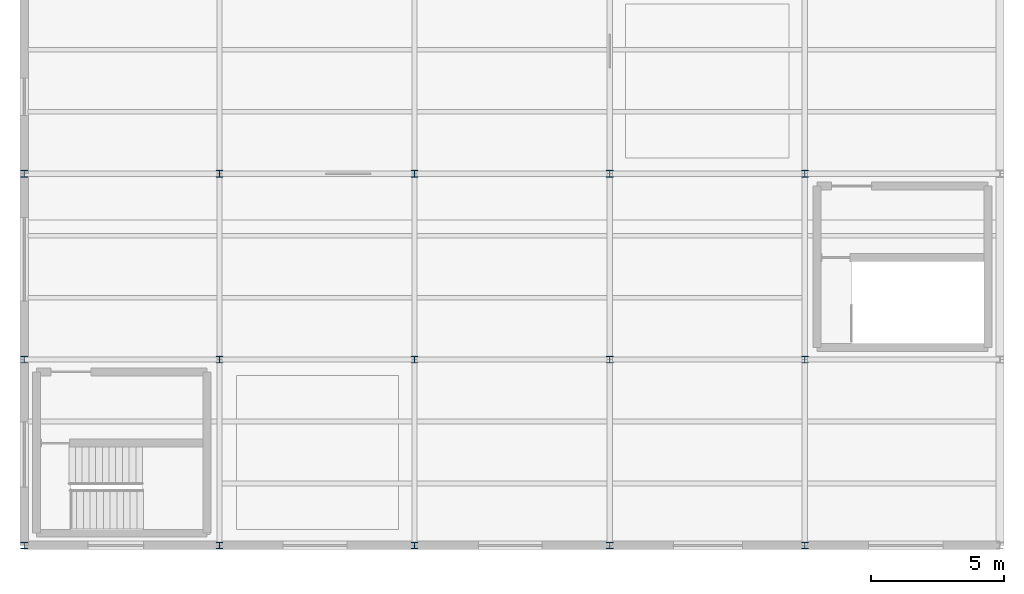
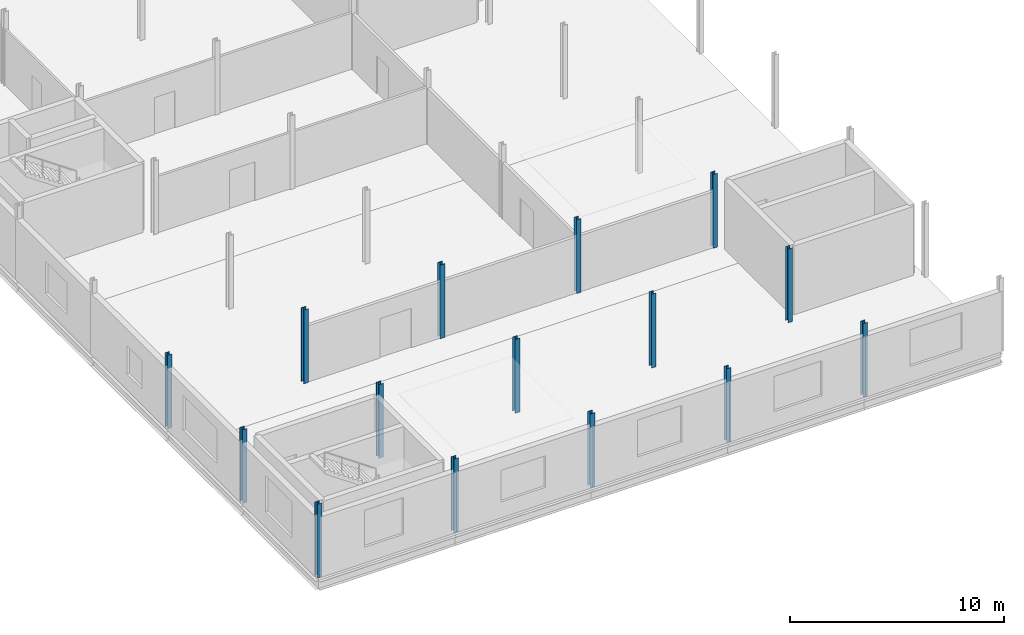
# One storey, part 1 of 9: 15 columns.
"""IFC4 building model written with IfcOpenShell, lengths in metres."""

from ifc_helpers import new_model, si_unit, direction, frame, origin, origin_2d, place, context, subcontext, project, spatial, i_section, extrude, material, material_profile, profile_set, type_object, element, save


model = new_model("IFC4")

# Units and contexts
model_context = context("Model", 3, precision=1e-05, world=origin(), true_north=direction((0.0, 1.0)))
body_context = subcontext(model_context, "Body", "Model", "MODEL_VIEW")
ifc_project = project(units=[si_unit("LENGTHUNIT", "METRE"), si_unit("AREAUNIT", "SQUARE_METRE"), si_unit("VOLUMEUNIT", "CUBIC_METRE"), si_unit("PLANEANGLEUNIT", "RADIAN"), si_unit("MASSUNIT", "GRAM", prefix="KILO")], contexts=[model_context])

# Site, building, storey
site_placement = place(None, origin())
site = spatial("IfcSite", under=ifc_project, at=site_placement, CompositionType="ELEMENT")
building_placement = place(site_placement, origin())
building = spatial("IfcBuilding", under=site, at=building_placement, Name="Kazenagashi Tramway Depot", CompositionType="ELEMENT")
storey_placement = place(building_placement, frame((0.0, 0.0, 15.3)))
storey = spatial("IfcBuildingStorey", under=building, at=storey_placement, Name="L04", CompositionType="ELEMENT", Elevation=15.3)

# Columns
ifc_material = material(Name="Steel SN490B", Category="steel")
ifc_material_profile = material_profile(ifc_material, i_section(OverallWidth=0.25, OverallDepth=0.25, WebThickness=0.009, FlangeThickness=0.014, at=origin_2d()), Name="H-250x250x9x14")
ifc_profile_set = profile_set([ifc_material_profile], Name="Steel SN490B")
column_type = type_object("IfcColumnType", Name="C-06", PredefinedType="COLUMN", material=ifc_profile_set)
for number, where, z_axis, x_axis, name in (
    (1, (0.0, 0.0, 0.0), (0.0, 0.0, 1.0), (1.0, 0.0, 0.0), "Column C-06 COL-0532"),
    (2, (0.0, 7.0, 0.0), (0.0, 0.0, 1.0), (1.0, 0.0, 0.0), "Column C-06 COL-0537"),
    (3, (0.0, 14.0, 0.0), (0.0, 0.0, 1.0), (1.0, 0.0, 0.0), "Column C-06 COL-0542"),
    (4, (7.35, 0.0, 0.0), (0.0, 0.0, 1.0), (1.0, 0.0, 0.0), "Column C-06 COL-0577"),
    (5, (7.35, 7.0, 0.0), (0.0, 0.0, 1.0), (1.0, 0.0, 0.0), "Column C-06 COL-0581"),
    (6, (7.35, 14.0, 0.0), (0.0, 0.0, 1.0), (1.0, 0.0, 0.0), "Column C-06 COL-0585"),
    (7, (14.7, 0.0, 0.0), (0.0, 0.0, 1.0), (1.0, 0.0, 0.0), "Column C-06 COL-0619"),
    (8, (14.7, 7.0, 0.0), (0.0, 0.0, 1.0), (1.0, 0.0, 0.0), "Column C-06 COL-0624"),
    (9, (14.7, 14.0, 0.0), (0.0, 0.0, 1.0), (1.0, 0.0, 0.0), "Column C-06 COL-0629"),
    (10, (22.05, 0.0, 0.0), (0.0, 0.0, 1.0), (1.0, 0.0, 0.0), "Column C-06 COL-0664"),
    (11, (22.05, 7.0, 0.0), (0.0, 0.0, 1.0), (1.0, 0.0, 0.0), "Column C-06 COL-0668"),
    (12, (22.05, 14.0, 0.0), (0.0, 0.0, 1.0), (1.0, 0.0, 0.0), "Column C-06 COL-0672"),
    (13, (29.4, 0.0, 0.0), (0.0, 0.0, 1.0), (1.0, 0.0, 0.0), "Column C-06 COL-0706"),
    (14, (29.4, 7.0, 0.0), (0.0, 0.0, 1.0), (1.0, 0.0, 0.0), "Column C-06 COL-0711"),
    (15, (29.4, 14.0, 0.0), (0.0, 0.0, 1.0), (1.0, 0.0, 0.0), "Column C-06 COL-0716"),
):
    element("IfcColumn", number, at=place(storey_placement, frame(where, z_axis=z_axis, x_axis=x_axis)), inside=storey, type_object=column_type, Name=name, PredefinedType="COLUMN", context=body_context, shape_type="SweptSolid", body=[
        extrude(i_section(OverallWidth=0.25, OverallDepth=0.25, WebThickness=0.009, FlangeThickness=0.014, at=origin_2d()), origin(), (0.0, 0.0, 1.0), 4.2),
    ])

save(model, "model.ifc")
